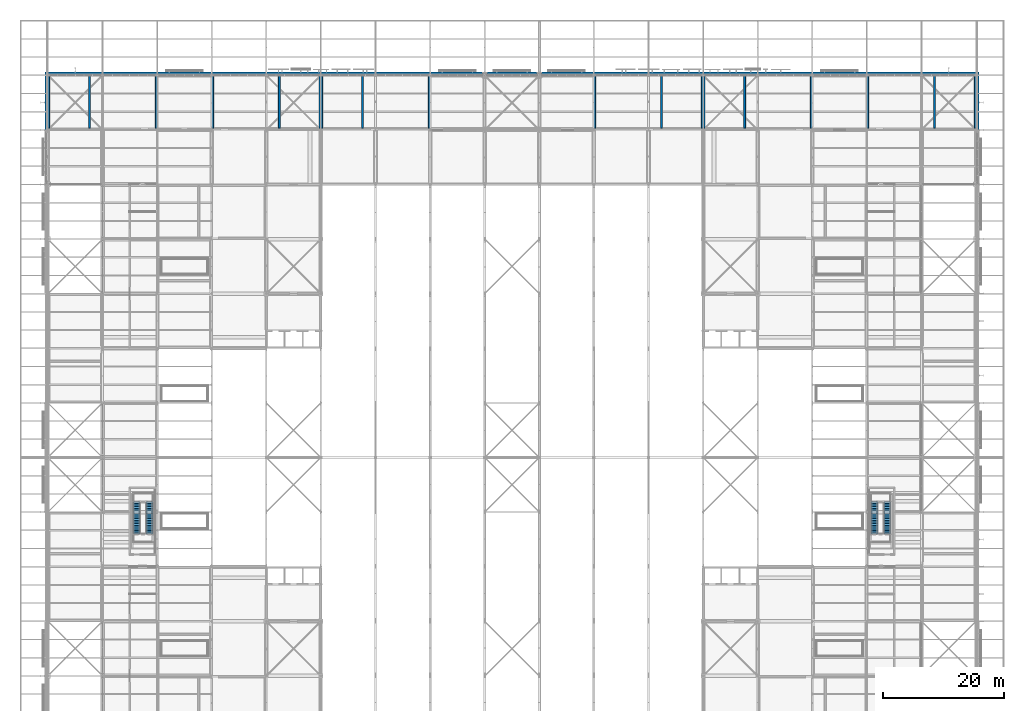
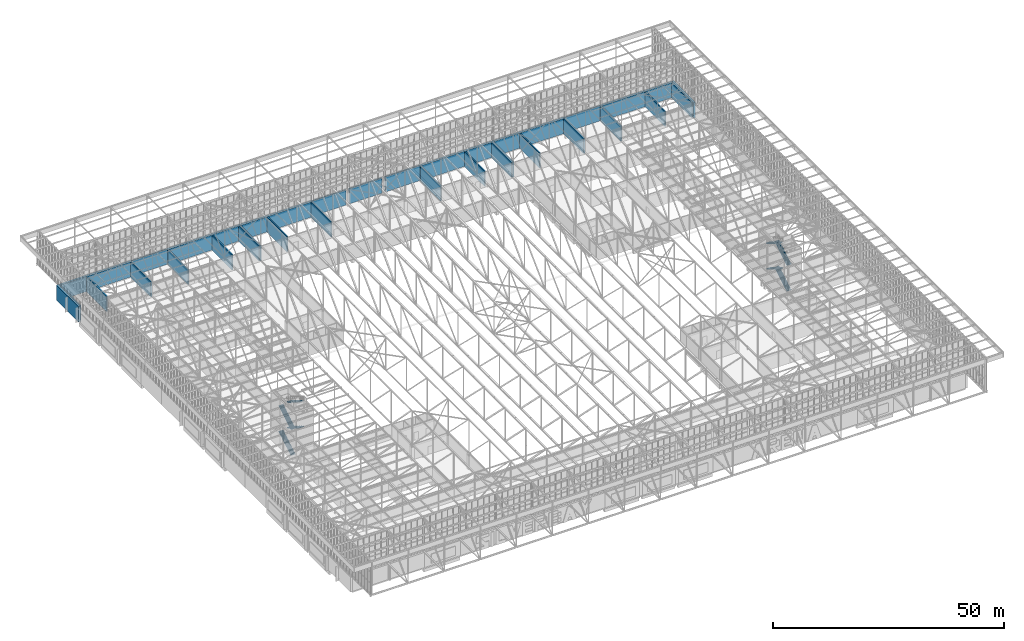
# One storey, part 174 of 646: 31 walls, 8 stair flights, 2 elements without a shape of their own.
"""IFC4 building model written with IfcOpenShell, lengths in metres."""

import ifcopenshell
import ifcopenshell.guid

model = None  # the IFC model being written
_history = None  # IfcOwnerHistory: only IFC2X3 demands one
_inside = {}  # id of a spatial element -> (the spatial element, [elements in it])
_under = {}  # id of a project, library or spatial element -> (it, [spatial elements below it])
_declared = {}  # id of a project -> (the project, [libraries it declares])
_typed = {}  # id of a type object -> (the type object, [elements of that type])
_made_of = {}  # id of a material, layer set ... -> (it, [elements and type objects made of it])


def new_model(schema):
    """Start an empty IFC model of exactly this schema.

    Asked for "IFC4X3", IfcOpenShell would pick the latest addendum, in which some entities
    have other attributes; the version numbers below select the first issue.
    IFC2X3 requires an IfcOwnerHistory on every rooted entity: one is made here for all.
    """
    global model, _history
    if schema == "IFC4X3":
        model = ifcopenshell.file(schema_version=(4, 3, 0, 0))
    else:
        model = ifcopenshell.file(schema=schema)
    _inside.clear()
    _under.clear()
    _declared.clear()
    _typed.clear()
    _made_of.clear()
    _history = None
    if model.schema == "IFC2X3":
        org = make("IfcOrganization", Name="unknown")
        user = make(
            "IfcPersonAndOrganization",
            ThePerson=make("IfcPerson", FamilyName="unknown"),
            TheOrganization=org,
        )
        app = make(
            "IfcApplication",
            ApplicationDeveloper=org,
            Version="unknown",
            ApplicationFullName="unknown",
            ApplicationIdentifier="unknown",
        )
        _history = make(
            "IfcOwnerHistory",
            OwningUser=user,
            OwningApplication=app,
            ChangeAction="ADDED",
            CreationDate=0,
        )
    return model


def make(cls, **values):
    """One entity of the class cls with the attributes given. An attribute that is None is left unset."""
    return model.create_entity(
        cls, **{name: value for name, value in values.items() if value is not None}
    )


def rooted(cls, **values):
    """An entity with a GlobalId (a new one), such as an element, a storey or a relation."""
    return make(cls, GlobalId=ifcopenshell.guid.new(), OwnerHistory=_history, **values)


def si_unit(unit_type, name, prefix=None):
    """IfcSIUnit, for example si_unit("LENGTHUNIT", "METRE", prefix="MILLI")."""
    return make("IfcSIUnit", UnitType=unit_type, Prefix=prefix, Name=name)


def assignment(units):
    """IfcUnitAssignment: the units of a project."""
    return None if units is None else make("IfcUnitAssignment", Units=units)


def point(xyz):
    """IfcCartesianPoint."""
    return None if xyz is None else make("IfcCartesianPoint", Coordinates=xyz)


def direction(xyz):
    """IfcDirection."""
    return None if xyz is None else make("IfcDirection", DirectionRatios=xyz)


def frame(location, z_axis=None, x_axis=None):
    """IfcAxis2Placement3D, a coordinate frame: its origin and axes. An axis left out is left unset."""
    return make(
        "IfcAxis2Placement3D",
        Location=point(location),
        Axis=direction(z_axis),
        RefDirection=direction(x_axis),
    )


def frame_2d(location, x_axis=None):
    """IfcAxis2Placement2D, a coordinate frame in the plane: its origin and x axis."""
    return make(
        "IfcAxis2Placement2D", Location=point(location), RefDirection=direction(x_axis)
    )


def origin():
    """The frame at (0, 0, 0) with its axes left unset."""
    return frame((0.0, 0.0, 0.0))


def place(relative_to, where):
    """IfcLocalPlacement: puts the frame where relative to a parent placement (None: the world)."""
    return make(
        "IfcLocalPlacement", PlacementRelTo=relative_to, RelativePlacement=where
    )


def context(
    kind, dimensions, precision=None, world=None, true_north=None, identifier=None
):
    """IfcGeometricRepresentationContext, for example the 3D "Model" context."""
    return make(
        "IfcGeometricRepresentationContext",
        ContextIdentifier=identifier,
        ContextType=kind,
        CoordinateSpaceDimension=dimensions,
        Precision=precision,
        WorldCoordinateSystem=world,
        TrueNorth=true_north,
    )


def subcontext(parent, identifier, kind, view, scale=None):
    """IfcGeometricRepresentationSubContext, for example "Body" below "Model"."""
    return make(
        "IfcGeometricRepresentationSubContext",
        ContextIdentifier=identifier,
        ContextType=kind,
        ParentContext=parent,
        TargetScale=scale,
        TargetView=view,
    )


def project(units=None, contexts=None):
    """IfcProject with its units and contexts."""
    return rooted(
        "IfcProject",
        Name="project",
        RepresentationContexts=contexts,
        UnitsInContext=assignment(units),
    )


def spatial(cls, under=None, at=None, **own):
    """A site, building, storey or space (cls), placed at a placement, below another one or the project."""
    s = rooted(cls, ObjectPlacement=at, **own)
    if under is not None:
        _under.setdefault(under.id(), (under, []))[1].append(s)
    return s


def polyline(points):
    """IfcPolyline through the points."""
    return make("IfcPolyline", Points=[point(p) for p in points])


def profile(cls, at=None, kind="AREA", **sizes):
    """A parametric profile (cls). Its sizes go by their IFC names, for example OverallWidth=200.0."""
    return make(cls, ProfileType=kind, Position=at, **sizes)


def rectangle(**sizes):
    """IfcRectangleProfileDef."""
    return profile("IfcRectangleProfileDef", **sizes)


def outline(outer, holes=None, kind="AREA"):
    """IfcArbitraryClosedProfileDef: a profile drawn as a closed curve; with holes, ...WithVoids."""
    if holes is None:
        return make("IfcArbitraryClosedProfileDef", ProfileType=kind, OuterCurve=outer)
    return make(
        "IfcArbitraryProfileDefWithVoids",
        ProfileType=kind,
        OuterCurve=outer,
        InnerCurves=holes,
    )


def extrude(swept, where, along, depth):
    """IfcExtrudedAreaSolid: the profile swept, set in the frame where, extruded along a direction by depth."""
    return make(
        "IfcExtrudedAreaSolid",
        SweptArea=swept,
        Position=where,
        ExtrudedDirection=direction(along),
        Depth=depth,
    )


def shape(context_of_items, identifier, shape_type, items):
    """IfcShapeRepresentation: the items that make up one representation, for example the "Body"."""
    return make(
        "IfcShapeRepresentation",
        ContextOfItems=context_of_items,
        RepresentationIdentifier=identifier,
        RepresentationType=shape_type,
        Items=items,
    )


def material(Name=None, Category=None):
    """IfcMaterial."""
    return make("IfcMaterial", Name=Name, Category=Category)


def layer(
    of_material, thickness, ventilated=None, Name=None, Category=None, Priority=None
):
    """IfcMaterialLayer: one layer of a wall or slab, of a material (None: an air gap)."""
    return make(
        "IfcMaterialLayer",
        Material=of_material,
        LayerThickness=thickness,
        IsVentilated=ventilated,
        Name=Name,
        Category=Category,
        Priority=Priority,
    )


def layer_set(layers, Name=None):
    """IfcMaterialLayerSet."""
    return make("IfcMaterialLayerSet", MaterialLayers=layers, LayerSetName=Name)


def made_of(thing, what):
    """Note that an element or type object is made of a material, layer set ...; save() writes the relation."""
    if what is not None:
        _made_of.setdefault(what.id(), (what, []))[1].append(thing)
    return thing


def type_object(cls, material=None, **own):
    """A type object (cls), such as IfcWallType, which elements share."""
    return made_of(rooted(cls, **own), material)


def element(
    cls,
    number,
    at=None,
    inside=None,
    cuts=None,
    type_object=None,
    material=None,
    context=None,
    identifier="Body",
    shape_type=None,
    held_by="IfcProductDefinitionShape",
    body=None,
    shapes=None,
    **own,
):
    """One element of the class cls, such as IfcWall. Its Tag is "e" and its number.

    at: its placement. inside: the storey or other place that contains it. cuts: it is an
    opening in that element (IfcRelVoidsElement). A single representation is given by context,
    identifier, shape_type and body (its items); several are given by shapes. held_by: the class
    of the entity that holds the representations. save() writes the other relations.
    """
    e = rooted(cls, Tag="e%d" % number, ObjectPlacement=at, **own)
    if body is not None:
        shapes = [shape(context, identifier, shape_type, body)]
    if shapes is not None:
        e.Representation = make(held_by, Representations=shapes)
    if inside is not None:
        _inside.setdefault(inside.id(), (inside, []))[1].append(e)
    if cuts is not None:
        rooted(
            "IfcRelVoidsElement", RelatingBuildingElement=cuts, RelatedOpeningElement=e
        )
    if type_object is not None:
        _typed.setdefault(type_object.id(), (type_object, []))[1].append(e)
    return made_of(e, material)


def aggregate(whole, parts):
    """IfcRelAggregates: a whole, such as a stair, and the parts it consists of."""
    return rooted("IfcRelAggregates", RelatingObject=whole, RelatedObjects=parts)


def save(model, path):
    """Write the relations noted so far, then the file.

    IfcRelAggregates (storeys below a building ...), IfcRelContainedInSpatialStructure (elements
    in a storey), IfcRelDefinesByType, IfcRelAssociatesMaterial and IfcRelDeclares: one each for
    every whole, place, type object, material and project.
    """
    for whole, parts in _under.values():
        aggregate(whole, parts)
    for where, things in _inside.values():
        rooted(
            "IfcRelContainedInSpatialStructure",
            RelatedElements=things,
            RelatingStructure=where,
        )
    for kind, things in _typed.values():
        rooted("IfcRelDefinesByType", RelatedObjects=things, RelatingType=kind)
    for what, things in _made_of.values():
        rooted("IfcRelAssociatesMaterial", RelatedObjects=things, RelatingMaterial=what)
    for by, libraries in _declared.values():
        rooted("IfcRelDeclares", RelatingContext=by, RelatedDefinitions=libraries)
    model.write(path)


model = new_model("IFC4")

# Units and contexts
model_context = context("Model", 3, precision=1e-05, world=origin(), true_north=direction((0.0, 1.0)))
body_context = subcontext(model_context, "Body", "Model", "MODEL_VIEW")
ifc_project = project(units=[si_unit("LENGTHUNIT", "METRE"), si_unit("AREAUNIT", "SQUARE_METRE"), si_unit("VOLUMEUNIT", "CUBIC_METRE"), si_unit("PLANEANGLEUNIT", "RADIAN"), si_unit("MASSUNIT", "GRAM", prefix="KILO")], contexts=[model_context])

# Site, building, storey
site_placement = place(None, origin())
site = spatial("IfcSite", under=ifc_project, at=site_placement, CompositionType="ELEMENT")
building_placement = place(site_placement, origin())
building = spatial("IfcBuilding", under=site, at=building_placement, Name="Silverbay Arena", CompositionType="ELEMENT")
storey_placement = place(building_placement, frame((0.0, 0.0, 33.5)))
storey = spatial("IfcBuildingStorey", under=building, at=storey_placement, Name="L05", CompositionType="ELEMENT", Elevation=33.5)

# Walls
ifc_material_1 = material(Name="Anodised aluminium cladding on insulated backing", Category="aluminium")
ifc_layer_1 = layer(ifc_material_1, 0.300048828125)
ifc_layer_set_1 = layer_set([ifc_layer_1], Name="Anodised aluminium cladding on insulated backing")
wall_type_1 = type_object("IfcWallType", Name="Aluminium clad wall 300", PredefinedType="SOLIDWALL", material=ifc_layer_set_1)
wall_1_placement = place(storey_placement, frame((81.0, 144.35009765625, 0.0), z_axis=(0.0, 0.0, 1.0), x_axis=(-1.0, 0.0, 0.0)))
element("IfcWall", 1, at=wall_1_placement, inside=storey, type_object=wall_type_1, Name="North external wall L05 bay 3", PredefinedType="SOLIDWALL", context=body_context, shape_type="SweptSolid", body=[
    extrude(rectangle(XDim=9.0, YDim=0.300048828125, at=frame_2d((4.5, 0.0))), origin(), (0.0, 0.0, 1.0), 4.0),
])
ifc_material_2 = material(Name="Anodised aluminium cladding on insulated backing", Category="aluminium")
ifc_layer_2 = layer(ifc_material_2, 0.300048828125)
ifc_layer_set_2 = layer_set([ifc_layer_2], Name="Anodised aluminium cladding on insulated backing")
wall_type_2 = type_object("IfcWallType", Name="Aluminium clad wall 300 EI 120", PredefinedType="SOLIDWALL", material=ifc_layer_set_2)
wall_2_placement = place(storey_placement, frame((125.60009765625, 144.35009765625, 0.0), z_axis=(0.0, 0.0, 1.0), x_axis=(-1.0, 0.0, 0.0)))
element("IfcWall", 2, at=wall_2_placement, inside=storey, type_object=wall_type_2, Name="North external wall L05 bay 8", PredefinedType="SOLIDWALL", context=body_context, shape_type="SweptSolid", body=[
    extrude(rectangle(XDim=8.60009765625, YDim=0.300048828125, at=frame_2d((4.300048828125, 0.0))), origin(), (0.0, 0.0, 1.0), 4.0),
])
wall_3_placement = place(storey_placement, frame((134.60009765625, 144.35009765625, 0.0), z_axis=(0.0, 0.0, 1.0), x_axis=(-1.0, 0.0, 0.0)))
element("IfcWall", 3, at=wall_3_placement, inside=storey, type_object=wall_type_2, Name="North external wall L05 bay 9", PredefinedType="SOLIDWALL", context=body_context, shape_type="SweptSolid", body=[
    extrude(rectangle(XDim=8.2001953125, YDim=0.300048828125, at=frame_2d((4.10009765625, 0.0))), origin(), (0.0, 0.0, 1.0), 4.0),
])
wall_4_placement = place(storey_placement, frame((144.0, 144.35009765625, 0.0), z_axis=(0.0, 0.0, 1.0), x_axis=(-1.0, 0.0, 0.0)))
element("IfcWall", 4, at=wall_4_placement, inside=storey, type_object=wall_type_2, Name="North external wall L05 bay 10", PredefinedType="SOLIDWALL", context=body_context, shape_type="SweptSolid", body=[
    extrude(rectangle(XDim=8.60009765625, YDim=0.300048828125, at=frame_2d((4.300048828125, 0.0))), origin(), (0.0, 0.0, 1.0), 4.0),
])
wall_5_placement = place(storey_placement, frame((189.0, 144.35009765625, 0.0), z_axis=(0.0, 0.0, 1.0), x_axis=(-1.0, 0.0, 0.0)))
element("IfcWall", 5, at=wall_5_placement, inside=storey, type_object=wall_type_2, Name="North external wall L05 bay 15", PredefinedType="SOLIDWALL", context=body_context, shape_type="SweptSolid", body=[
    extrude(rectangle(XDim=9.0, YDim=0.300048828125, at=frame_2d((4.5, 0.0))), origin(), (0.0, 0.0, 1.0), 4.0),
])
ifc_material_3 = material(Name="Concrete Grade C45", Category="concrete")
ifc_layer_3 = layer(ifc_material_3, 0.300048828125)
ifc_layer_set_3 = layer_set([ifc_layer_3], Name="Concrete Grade C45")
wall_type_3 = type_object("IfcWallType", Name="Core wall RC 300 EI 120", PredefinedType="SHEAR", material=ifc_layer_set_3)
for number, where, z_axis, x_axis, name in (
    (6, (81.14990234375, 135.300048828125, 0.0), (0.0, 0.0, 1.0), (0.0, 1.0, 0.0), "Core wall ST-N1 L05 end 1"),
    (7, (98.85009765625, 135.300048828125, 0.0), (0.0, 0.0, 1.0), (0.0, 1.0, 0.0), "Core wall ST-N1 L05 end 2"),
    (8, (92.14990234375, 135.300048828125, 0.0), (0.0, 0.0, 1.0), (0.0, 1.0, 0.0), "Core wall ST-N1 L05 stair enclosure"),
    (9, (116.85009765625, 135.300048828125, 0.0), (0.0, 0.0, 1.0), (0.0, 1.0, 0.0), "Core wall ST-N2 L05 end 1"),
    (10, (99.14990234375, 135.300048828125, 0.0), (0.0, 0.0, 1.0), (0.0, 1.0, 0.0), "Core wall ST-N2 L05 end 2"),
    (11, (105.85009765625, 135.300048828125, 0.0), (0.0, 0.0, 1.0), (0.0, 1.0, 0.0), "Core wall ST-N2 L05 stair enclosure"),
    (12, (144.14990234375, 135.300048828125, 0.0), (0.0, 0.0, 1.0), (0.0, 1.0, 0.0), "Core wall ST-N3 L05 end 1"),
    (13, (161.85009765625, 135.300048828125, 0.0), (0.0, 0.0, 1.0), (0.0, 1.0, 0.0), "Core wall ST-N3 L05 end 2"),
    (14, (155.14990234375, 135.300048828125, 0.0), (0.0, 0.0, 1.0), (0.0, 1.0, 0.0), "Core wall ST-N3 L05 stair enclosure"),
    (15, (179.85009765625, 135.300048828125, 0.0), (0.0, 0.0, 1.0), (0.0, 1.0, 0.0), "Core wall ST-N4 L05 end 1"),
    (16, (162.14990234375, 135.300048828125, 0.0), (0.0, 0.0, 1.0), (0.0, 1.0, 0.0), "Core wall ST-N4 L05 end 2"),
    (17, (168.85009765625, 135.300048828125, 0.0), (0.0, 0.0, 1.0), (0.0, 1.0, 0.0), "Core wall ST-N4 L05 stair enclosure"),
    (18, (71.85009765625, 135.300048828125, 0.0), (0.0, 0.0, 1.0), (0.0, 1.0, 0.0), "Core wall ST-N5 L05 end 1"),
    (19, (54.14990234375, 135.300048828125, 0.0), (0.0, 0.0, 1.0), (0.0, 1.0, 0.0), "Core wall ST-N5 L05 end 2"),
    (20, (60.85009765625, 135.300048828125, 0.0), (0.0, 0.0, 1.0), (0.0, 1.0, 0.0), "Core wall ST-N5 L05 stair enclosure"),
    (21, (189.14990234375, 135.300048828125, 0.0), (0.0, 0.0, 1.0), (0.0, 1.0, 0.0), "Core wall ST-N6 L05 end 1"),
    (22, (206.85009765625, 135.300048828125, 0.0), (0.0, 0.0, 1.0), (0.0, 1.0, 0.0), "Core wall ST-N6 L05 end 2"),
    (23, (200.14990234375, 135.300048828125, 0.0), (0.0, 0.0, 1.0), (0.0, 1.0, 0.0), "Core wall ST-N6 L05 stair enclosure"),
):
    element("IfcWall", number, at=place(storey_placement, frame(where, z_axis=z_axis, x_axis=x_axis)), inside=storey, type_object=wall_type_3, Name=name, PredefinedType="SHEAR", context=body_context, shape_type="SweptSolid", body=[
        extrude(rectangle(XDim=8.699951171875, YDim=0.300048828125, at=frame_2d((4.35009765625, 0.0))), origin(), (0.0, 0.0, 1.0), 4.0),
    ])
ifc_material_4 = material(Name="Concrete Grade C45", Category="concrete")
ifc_layer_4 = layer(ifc_material_4, 0.5)
ifc_layer_set_4 = layer_set([ifc_layer_4], Name="Concrete Grade C45")
wall_type_4 = type_object("IfcWallType", Name="Core wall RC 500 external EI 120", PredefinedType="SHEAR", material=ifc_layer_set_4)
for number, where, z_axis, x_axis, name in (
    (24, (81.0, 144.25, 0.0), (0.0, 0.0, 1.0), (1.0, 0.0, 0.0), "Core wall ST-N1 L05 facade side"),
    (25, (117.0, 144.25, 0.0), (0.0, 0.0, 1.0), (-1.0, 0.0, 0.0), "Core wall ST-N2 L05 facade side"),
    (26, (144.0, 144.25, 0.0), (0.0, 0.0, 1.0), (1.0, 0.0, 0.0), "Core wall ST-N3 L05 facade side"),
    (27, (180.0, 144.25, 0.0), (0.0, 0.0, 1.0), (-1.0, 0.0, 0.0), "Core wall ST-N4 L05 facade side"),
    (28, (72.0, 144.25, 0.0), (0.0, 0.0, 1.0), (-1.0, 0.0, 0.0), "Core wall ST-N5 L05 facade side"),
    (29, (189.0, 144.25, 0.0), (0.0, 0.0, 1.0), (1.0, 0.0, 0.0), "Core wall ST-N6 L05 facade side"),
):
    element("IfcWall", number, at=place(storey_placement, frame(where, z_axis=z_axis, x_axis=x_axis)), inside=storey, type_object=wall_type_4, Name=name, PredefinedType="SHEAR", context=body_context, shape_type="SweptSolid", body=[
        extrude(rectangle(XDim=18.0, YDim=0.5, at=frame_2d((9.0, 0.0))), origin(), (0.0, 0.0, 1.0), 4.0),
    ])
ifc_material_5 = material(Name="Concrete Grade C45", Category="concrete")
ifc_layer_5 = layer(ifc_material_5, 0.5)
ifc_layer_set_5 = layer_set([ifc_layer_5], Name="Concrete Grade C45")
wall_type_5 = type_object("IfcWallType", Name="Stair core facade wall 500", PredefinedType="SOLIDWALL", material=ifc_layer_set_5)
for number, where, z_axis, x_axis, name in (
    (30, (207.25, 135.0, 0.0), (0.0, 0.0, 1.0), (0.0, 1.0, 0.0), "East stair core facade wall L05 bay 14"),
    (31, (53.75, 144.5, 0.0), (0.0, 0.0, 1.0), (0.0, -1.0, 0.0), "West stair core facade wall L05 bay 14"),
):
    element("IfcWall", number, at=place(storey_placement, frame(where, z_axis=z_axis, x_axis=x_axis)), inside=storey, type_object=wall_type_5, Name=name, PredefinedType="SOLIDWALL", context=body_context, shape_type="SweptSolid", body=[
        extrude(rectangle(XDim=9.5, YDim=0.5, at=frame_2d((4.75, 0.0))), origin(), (0.0, 0.0, 1.0), 4.0),
    ])

# Stair, stair flights
ifc_material_6 = material(Name="Steel S355", Category="steel")
stair_type_1 = type_object("IfcStairType", Name="Roof access stair RA1 (80 risers 170.0 x 280, 1100 wide)", PredefinedType="DOUBLE_RETURN_STAIR", material=ifc_material_6)
stair_1_placement = place(storey_placement, origin())
stair_1 = element("IfcStair", 32, at=stair_1_placement, inside=storey, type_object=stair_type_1, Name="Stair RA1 L05 to ROOF", PredefinedType="DOUBLE_RETURN_STAIR")
ifc_material_7 = material(Name="Steel S355", Category="steel")
stair_flight_type = type_object("IfcStairFlightType", Name="Steel stair flight 1100 wide 20 risers 170.0 x 280", PredefinedType="STRAIGHT", material=ifc_material_7)
stair_flight_1_placement = place(storey_placement, frame((68.64990234375, 68.39990234375, 0.0), z_axis=(0.0, 0.0, 1.0), x_axis=(0.0, 1.0, 0.0)))
stair_flight_1 = element("IfcStairFlight", 33, at=stair_flight_1_placement, type_object=stair_flight_type, Name="Stair RA1 L05 to ROOF flight 1", NumberOfRisers=20, NumberOfTreads=19, PredefinedType="STRAIGHT", RiserHeight=0.17, TreadLength=0.28, context=body_context, shape_type="SweptSolid", body=[
    extrude(outline(polyline([(0.0, 0.0), (0.0, 0.169921875), (0.280029296875, 0.169921875), (0.280029296875, 0.340087890625), (0.56005859375, 0.340087890625), (0.56005859375, 0.510009765625), (0.840087890625, 0.510009765625), (0.840087890625, 0.679931640625), (1.1201171875, 0.679931640625), (1.1201171875, 0.85009765625), (1.39990234375, 0.85009765625), (1.39990234375, 1.02001953125), (1.679931640625, 1.02001953125), (1.679931640625, 1.18994140625), (1.9599609375, 1.18994140625), (1.9599609375, 1.360107421875), (2.239990234375, 1.360107421875), (2.239990234375, 1.530029296875), (2.52001953125, 1.530029296875), (2.52001953125, 1.699951171875), (2.800048828125, 1.699951171875), (2.800048828125, 1.8701171875), (3.080078125, 1.8701171875), (3.080078125, 2.0400390625), (3.360107421875, 2.0400390625), (3.360107421875, 2.2099609375), (3.639892578125, 2.2099609375), (3.639892578125, 2.3798828125), (3.919921875, 2.3798828125), (3.919921875, 2.550048828125), (4.199951171875, 2.550048828125), (4.199951171875, 2.719970703125), (4.47998046875, 2.719970703125), (4.47998046875, 2.889892578125), (4.760009765625, 2.889892578125), (4.760009765625, 3.06005859375), (5.0400390625, 3.06005859375), (5.0400390625, 3.22998046875), (5.320068359375, 3.22998046875), (5.320068359375, 3.08935546875), (0.2314453125, 0.0), (0.0, 0.0)])), frame((0.0, 0.550048828125, 0.0), z_axis=(0.0, -1.0, 0.0), x_axis=(1.0, 0.0, 0.0)), (0.0, 0.0, 1.0), 1.10009765625),
])
stair_flight_2_placement = place(storey_placement, frame((70.75, 73.719970703125, 3.39990234375), z_axis=(0.0, 0.0, 1.0), x_axis=(0.0, -1.0, 0.0)))
stair_flight_2 = element("IfcStairFlight", 34, at=stair_flight_2_placement, type_object=stair_flight_type, Name="Stair RA1 L05 to ROOF flight 2", NumberOfRisers=20, NumberOfTreads=19, PredefinedType="STRAIGHT", RiserHeight=0.17, TreadLength=0.28, context=body_context, shape_type="SweptSolid", body=[
    extrude(outline(polyline([(0.0, 0.0), (0.0, 0.169921875), (0.280029296875, 0.169921875), (0.280029296875, 0.340087890625), (0.56005859375, 0.340087890625), (0.56005859375, 0.510009765625), (0.840087890625, 0.510009765625), (0.840087890625, 0.679931640625), (1.1201171875, 0.679931640625), (1.1201171875, 0.85009765625), (1.39990234375, 0.85009765625), (1.39990234375, 1.02001953125), (1.679931640625, 1.02001953125), (1.679931640625, 1.18994140625), (1.9599609375, 1.18994140625), (1.9599609375, 1.360107421875), (2.239990234375, 1.360107421875), (2.239990234375, 1.530029296875), (2.52001953125, 1.530029296875), (2.52001953125, 1.699951171875), (2.800048828125, 1.699951171875), (2.800048828125, 1.8701171875), (3.080078125, 1.8701171875), (3.080078125, 2.0400390625), (3.360107421875, 2.0400390625), (3.360107421875, 2.2099609375), (3.639892578125, 2.2099609375), (3.639892578125, 2.3798828125), (3.919921875, 2.3798828125), (3.919921875, 2.550048828125), (4.199951171875, 2.550048828125), (4.199951171875, 2.719970703125), (4.47998046875, 2.719970703125), (4.47998046875, 2.889892578125), (4.760009765625, 2.889892578125), (4.760009765625, 3.06005859375), (5.0400390625, 3.06005859375), (5.0400390625, 3.22998046875), (5.320068359375, 3.22998046875), (5.320068359375, 3.08935546875), (0.2314453125, 0.0), (0.0, 0.0)])), frame((0.0, 0.550048828125, 0.0), z_axis=(0.0, -1.0, 0.0), x_axis=(1.0, 0.0, 0.0)), (0.0, 0.0, 1.0), 1.10009765625),
])
stair_flight_3_placement = place(storey_placement, frame((68.64990234375, 68.39990234375, 6.800048828125), z_axis=(0.0, 0.0, 1.0), x_axis=(0.0, 1.0, 0.0)))
stair_flight_3 = element("IfcStairFlight", 35, at=stair_flight_3_placement, type_object=stair_flight_type, Name="Stair RA1 L05 to ROOF flight 3", NumberOfRisers=20, NumberOfTreads=19, PredefinedType="STRAIGHT", RiserHeight=0.17, TreadLength=0.28, context=body_context, shape_type="SweptSolid", body=[
    extrude(outline(polyline([(0.0, 0.0), (0.0, 0.169921875), (0.280029296875, 0.169921875), (0.280029296875, 0.340087890625), (0.56005859375, 0.340087890625), (0.56005859375, 0.510009765625), (0.840087890625, 0.510009765625), (0.840087890625, 0.679931640625), (1.1201171875, 0.679931640625), (1.1201171875, 0.85009765625), (1.39990234375, 0.85009765625), (1.39990234375, 1.02001953125), (1.679931640625, 1.02001953125), (1.679931640625, 1.18994140625), (1.9599609375, 1.18994140625), (1.9599609375, 1.360107421875), (2.239990234375, 1.360107421875), (2.239990234375, 1.530029296875), (2.52001953125, 1.530029296875), (2.52001953125, 1.699951171875), (2.800048828125, 1.699951171875), (2.800048828125, 1.8701171875), (3.080078125, 1.8701171875), (3.080078125, 2.0400390625), (3.360107421875, 2.0400390625), (3.360107421875, 2.2099609375), (3.639892578125, 2.2099609375), (3.639892578125, 2.3798828125), (3.919921875, 2.3798828125), (3.919921875, 2.550048828125), (4.199951171875, 2.550048828125), (4.199951171875, 2.719970703125), (4.47998046875, 2.719970703125), (4.47998046875, 2.889892578125), (4.760009765625, 2.889892578125), (4.760009765625, 3.06005859375), (5.0400390625, 3.06005859375), (5.0400390625, 3.22998046875), (5.320068359375, 3.22998046875), (5.320068359375, 3.08935546875), (0.2314453125, 0.0), (0.0, 0.0)])), frame((0.0, 0.550048828125, 0.0), z_axis=(0.0, -1.0, 0.0), x_axis=(1.0, 0.0, 0.0)), (0.0, 0.0, 1.0), 1.10009765625),
])
stair_flight_4_placement = place(storey_placement, frame((70.75, 73.719970703125, 10.199951171875), z_axis=(0.0, 0.0, 1.0), x_axis=(0.0, -1.0, 0.0)))
stair_flight_4 = element("IfcStairFlight", 36, at=stair_flight_4_placement, type_object=stair_flight_type, Name="Stair RA1 L05 to ROOF flight 4", NumberOfRisers=20, NumberOfTreads=19, PredefinedType="STRAIGHT", RiserHeight=0.17, TreadLength=0.28, context=body_context, shape_type="SweptSolid", body=[
    extrude(outline(polyline([(0.0, 0.0), (0.0, 0.169921875), (0.280029296875, 0.169921875), (0.280029296875, 0.340087890625), (0.56005859375, 0.340087890625), (0.56005859375, 0.510009765625), (0.840087890625, 0.510009765625), (0.840087890625, 0.679931640625), (1.1201171875, 0.679931640625), (1.1201171875, 0.85009765625), (1.39990234375, 0.85009765625), (1.39990234375, 1.02001953125), (1.679931640625, 1.02001953125), (1.679931640625, 1.18994140625), (1.9599609375, 1.18994140625), (1.9599609375, 1.360107421875), (2.239990234375, 1.360107421875), (2.239990234375, 1.530029296875), (2.52001953125, 1.530029296875), (2.52001953125, 1.699951171875), (2.800048828125, 1.699951171875), (2.800048828125, 1.8701171875), (3.080078125, 1.8701171875), (3.080078125, 2.0400390625), (3.360107421875, 2.0400390625), (3.360107421875, 2.2099609375), (3.639892578125, 2.2099609375), (3.639892578125, 2.3798828125), (3.919921875, 2.3798828125), (3.919921875, 2.550048828125), (4.199951171875, 2.550048828125), (4.199951171875, 2.719970703125), (4.47998046875, 2.719970703125), (4.47998046875, 2.889892578125), (4.760009765625, 2.889892578125), (4.760009765625, 3.06005859375), (5.0400390625, 3.06005859375), (5.0400390625, 3.22998046875), (5.320068359375, 3.22998046875), (5.320068359375, 3.08935546875), (0.2314453125, 0.0), (0.0, 0.0)])), frame((0.0, 0.550048828125, 0.0), z_axis=(0.0, -1.0, 0.0), x_axis=(1.0, 0.0, 0.0)), (0.0, 0.0, 1.0), 1.10009765625),
])
aggregate(stair_1, [stair_flight_1, stair_flight_2, stair_flight_3, stair_flight_4])

ifc_material_8 = material(Name="Steel S355", Category="steel")
stair_type_2 = type_object("IfcStairType", Name="Roof access stair RA2 (80 risers 170.0 x 280, 1100 wide)", PredefinedType="DOUBLE_RETURN_STAIR", material=ifc_material_8)
stair_2_placement = place(storey_placement, origin())
stair_2 = element("IfcStair", 37, at=stair_2_placement, inside=storey, type_object=stair_type_2, Name="Stair RA2 L05 to ROOF", PredefinedType="DOUBLE_RETURN_STAIR")
stair_flight_5_placement = place(storey_placement, frame((192.35009765625, 68.39990234375, 0.0), z_axis=(0.0, 0.0, 1.0), x_axis=(0.0, 1.0, 0.0)))
stair_flight_5 = element("IfcStairFlight", 38, at=stair_flight_5_placement, type_object=stair_flight_type, Name="Stair RA2 L05 to ROOF flight 1", NumberOfRisers=20, NumberOfTreads=19, PredefinedType="STRAIGHT", RiserHeight=0.17, TreadLength=0.28, context=body_context, shape_type="SweptSolid", body=[
    extrude(outline(polyline([(0.0, 0.0), (0.0, 0.169921875), (0.280029296875, 0.169921875), (0.280029296875, 0.340087890625), (0.56005859375, 0.340087890625), (0.56005859375, 0.510009765625), (0.840087890625, 0.510009765625), (0.840087890625, 0.679931640625), (1.1201171875, 0.679931640625), (1.1201171875, 0.85009765625), (1.39990234375, 0.85009765625), (1.39990234375, 1.02001953125), (1.679931640625, 1.02001953125), (1.679931640625, 1.18994140625), (1.9599609375, 1.18994140625), (1.9599609375, 1.360107421875), (2.239990234375, 1.360107421875), (2.239990234375, 1.530029296875), (2.52001953125, 1.530029296875), (2.52001953125, 1.699951171875), (2.800048828125, 1.699951171875), (2.800048828125, 1.8701171875), (3.080078125, 1.8701171875), (3.080078125, 2.0400390625), (3.360107421875, 2.0400390625), (3.360107421875, 2.2099609375), (3.639892578125, 2.2099609375), (3.639892578125, 2.3798828125), (3.919921875, 2.3798828125), (3.919921875, 2.550048828125), (4.199951171875, 2.550048828125), (4.199951171875, 2.719970703125), (4.47998046875, 2.719970703125), (4.47998046875, 2.889892578125), (4.760009765625, 2.889892578125), (4.760009765625, 3.06005859375), (5.0400390625, 3.06005859375), (5.0400390625, 3.22998046875), (5.320068359375, 3.22998046875), (5.320068359375, 3.08935546875), (0.2314453125, 0.0), (0.0, 0.0)])), frame((0.0, 0.550048828125, 0.0), z_axis=(0.0, -1.0, 0.0), x_axis=(1.0, 0.0, 0.0)), (0.0, 0.0, 1.0), 1.10009765625),
])
stair_flight_6_placement = place(storey_placement, frame((190.25, 73.719970703125, 3.39990234375), z_axis=(0.0, 0.0, 1.0), x_axis=(0.0, -1.0, 0.0)))
stair_flight_6 = element("IfcStairFlight", 39, at=stair_flight_6_placement, type_object=stair_flight_type, Name="Stair RA2 L05 to ROOF flight 2", NumberOfRisers=20, NumberOfTreads=19, PredefinedType="STRAIGHT", RiserHeight=0.17, TreadLength=0.28, context=body_context, shape_type="SweptSolid", body=[
    extrude(outline(polyline([(0.0, 0.0), (0.0, 0.169921875), (0.280029296875, 0.169921875), (0.280029296875, 0.340087890625), (0.56005859375, 0.340087890625), (0.56005859375, 0.510009765625), (0.840087890625, 0.510009765625), (0.840087890625, 0.679931640625), (1.1201171875, 0.679931640625), (1.1201171875, 0.85009765625), (1.39990234375, 0.85009765625), (1.39990234375, 1.02001953125), (1.679931640625, 1.02001953125), (1.679931640625, 1.18994140625), (1.9599609375, 1.18994140625), (1.9599609375, 1.360107421875), (2.239990234375, 1.360107421875), (2.239990234375, 1.530029296875), (2.52001953125, 1.530029296875), (2.52001953125, 1.699951171875), (2.800048828125, 1.699951171875), (2.800048828125, 1.8701171875), (3.080078125, 1.8701171875), (3.080078125, 2.0400390625), (3.360107421875, 2.0400390625), (3.360107421875, 2.2099609375), (3.639892578125, 2.2099609375), (3.639892578125, 2.3798828125), (3.919921875, 2.3798828125), (3.919921875, 2.550048828125), (4.199951171875, 2.550048828125), (4.199951171875, 2.719970703125), (4.47998046875, 2.719970703125), (4.47998046875, 2.889892578125), (4.760009765625, 2.889892578125), (4.760009765625, 3.06005859375), (5.0400390625, 3.06005859375), (5.0400390625, 3.22998046875), (5.320068359375, 3.22998046875), (5.320068359375, 3.08935546875), (0.2314453125, 0.0), (0.0, 0.0)])), frame((0.0, 0.550048828125, 0.0), z_axis=(0.0, -1.0, 0.0), x_axis=(1.0, 0.0, 0.0)), (0.0, 0.0, 1.0), 1.10009765625),
])
stair_flight_7_placement = place(storey_placement, frame((192.35009765625, 68.39990234375, 6.800048828125), z_axis=(0.0, 0.0, 1.0), x_axis=(0.0, 1.0, 0.0)))
stair_flight_7 = element("IfcStairFlight", 40, at=stair_flight_7_placement, type_object=stair_flight_type, Name="Stair RA2 L05 to ROOF flight 3", NumberOfRisers=20, NumberOfTreads=19, PredefinedType="STRAIGHT", RiserHeight=0.17, TreadLength=0.28, context=body_context, shape_type="SweptSolid", body=[
    extrude(outline(polyline([(0.0, 0.0), (0.0, 0.169921875), (0.280029296875, 0.169921875), (0.280029296875, 0.340087890625), (0.56005859375, 0.340087890625), (0.56005859375, 0.510009765625), (0.840087890625, 0.510009765625), (0.840087890625, 0.679931640625), (1.1201171875, 0.679931640625), (1.1201171875, 0.85009765625), (1.39990234375, 0.85009765625), (1.39990234375, 1.02001953125), (1.679931640625, 1.02001953125), (1.679931640625, 1.18994140625), (1.9599609375, 1.18994140625), (1.9599609375, 1.360107421875), (2.239990234375, 1.360107421875), (2.239990234375, 1.530029296875), (2.52001953125, 1.530029296875), (2.52001953125, 1.699951171875), (2.800048828125, 1.699951171875), (2.800048828125, 1.8701171875), (3.080078125, 1.8701171875), (3.080078125, 2.0400390625), (3.360107421875, 2.0400390625), (3.360107421875, 2.2099609375), (3.639892578125, 2.2099609375), (3.639892578125, 2.3798828125), (3.919921875, 2.3798828125), (3.919921875, 2.550048828125), (4.199951171875, 2.550048828125), (4.199951171875, 2.719970703125), (4.47998046875, 2.719970703125), (4.47998046875, 2.889892578125), (4.760009765625, 2.889892578125), (4.760009765625, 3.06005859375), (5.0400390625, 3.06005859375), (5.0400390625, 3.22998046875), (5.320068359375, 3.22998046875), (5.320068359375, 3.08935546875), (0.2314453125, 0.0), (0.0, 0.0)])), frame((0.0, 0.550048828125, 0.0), z_axis=(0.0, -1.0, 0.0), x_axis=(1.0, 0.0, 0.0)), (0.0, 0.0, 1.0), 1.10009765625),
])
stair_flight_8_placement = place(storey_placement, frame((190.25, 73.719970703125, 10.199951171875), z_axis=(0.0, 0.0, 1.0), x_axis=(0.0, -1.0, 0.0)))
stair_flight_8 = element("IfcStairFlight", 41, at=stair_flight_8_placement, type_object=stair_flight_type, Name="Stair RA2 L05 to ROOF flight 4", NumberOfRisers=20, NumberOfTreads=19, PredefinedType="STRAIGHT", RiserHeight=0.17, TreadLength=0.28, context=body_context, shape_type="SweptSolid", body=[
    extrude(outline(polyline([(0.0, 0.0), (0.0, 0.169921875), (0.280029296875, 0.169921875), (0.280029296875, 0.340087890625), (0.56005859375, 0.340087890625), (0.56005859375, 0.510009765625), (0.840087890625, 0.510009765625), (0.840087890625, 0.679931640625), (1.1201171875, 0.679931640625), (1.1201171875, 0.85009765625), (1.39990234375, 0.85009765625), (1.39990234375, 1.02001953125), (1.679931640625, 1.02001953125), (1.679931640625, 1.18994140625), (1.9599609375, 1.18994140625), (1.9599609375, 1.360107421875), (2.239990234375, 1.360107421875), (2.239990234375, 1.530029296875), (2.52001953125, 1.530029296875), (2.52001953125, 1.699951171875), (2.800048828125, 1.699951171875), (2.800048828125, 1.8701171875), (3.080078125, 1.8701171875), (3.080078125, 2.0400390625), (3.360107421875, 2.0400390625), (3.360107421875, 2.2099609375), (3.639892578125, 2.2099609375), (3.639892578125, 2.3798828125), (3.919921875, 2.3798828125), (3.919921875, 2.550048828125), (4.199951171875, 2.550048828125), (4.199951171875, 2.719970703125), (4.47998046875, 2.719970703125), (4.47998046875, 2.889892578125), (4.760009765625, 2.889892578125), (4.760009765625, 3.06005859375), (5.0400390625, 3.06005859375), (5.0400390625, 3.22998046875), (5.320068359375, 3.22998046875), (5.320068359375, 3.08935546875), (0.2314453125, 0.0), (0.0, 0.0)])), frame((0.0, 0.550048828125, 0.0), z_axis=(0.0, -1.0, 0.0), x_axis=(1.0, 0.0, 0.0)), (0.0, 0.0, 1.0), 1.10009765625),
])
aggregate(stair_2, [stair_flight_5, stair_flight_6, stair_flight_7, stair_flight_8])

save(model, "model.ifc")
